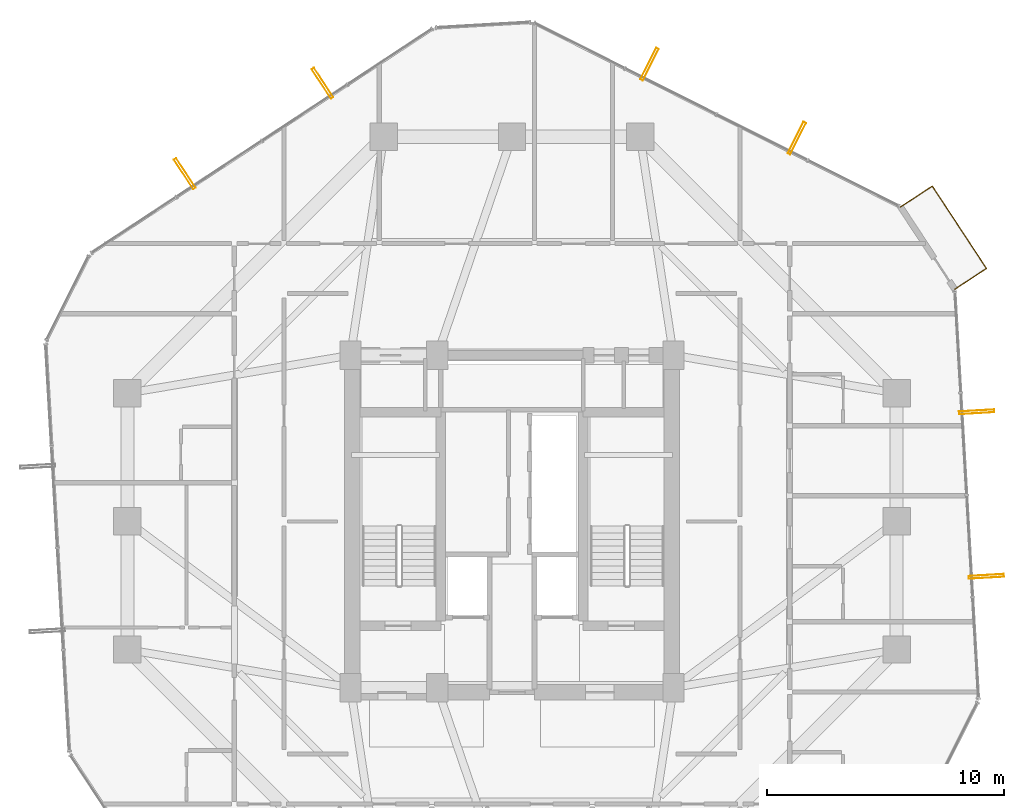
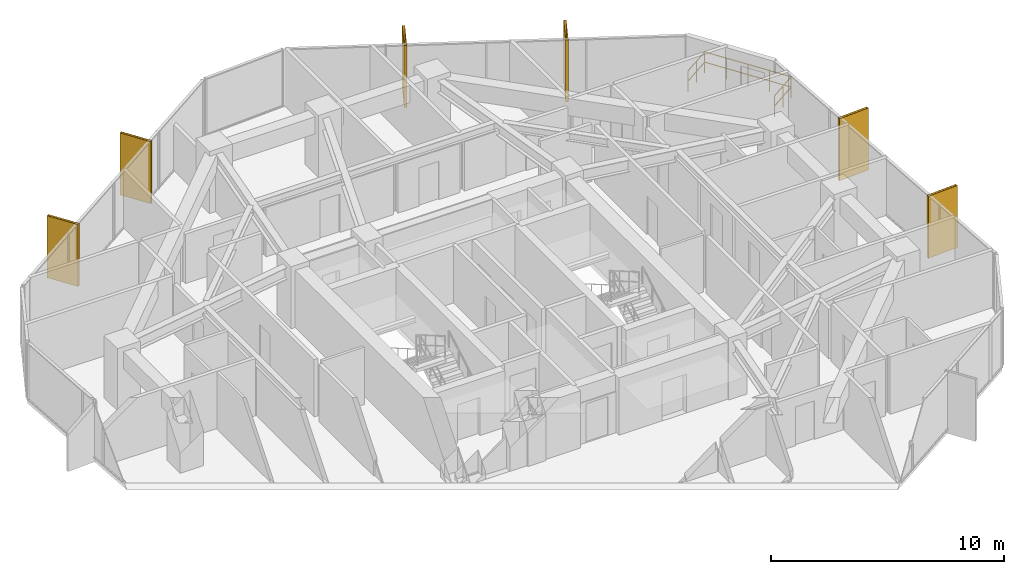
# One storey, part 33 of 33: 6 shading devices, 1 railing.
"""IFC4 building model written with IfcOpenShell, lengths in metres."""

import ifcopenshell
import ifcopenshell.guid

model = None  # the IFC model being written
_history = None  # IfcOwnerHistory: only IFC2X3 demands one
_inside = {}  # id of a spatial element -> (the spatial element, [elements in it])
_under = {}  # id of a project, library or spatial element -> (it, [spatial elements below it])
_declared = {}  # id of a project -> (the project, [libraries it declares])
_typed = {}  # id of a type object -> (the type object, [elements of that type])
_made_of = {}  # id of a material, layer set ... -> (it, [elements and type objects made of it])


def new_model(schema):
    """Start an empty IFC model of exactly this schema.

    Asked for "IFC4X3", IfcOpenShell would pick the latest addendum, in which some entities
    have other attributes; the version numbers below select the first issue.
    IFC2X3 requires an IfcOwnerHistory on every rooted entity: one is made here for all.
    """
    global model, _history
    if schema == "IFC4X3":
        model = ifcopenshell.file(schema_version=(4, 3, 0, 0))
    else:
        model = ifcopenshell.file(schema=schema)
    _inside.clear()
    _under.clear()
    _declared.clear()
    _typed.clear()
    _made_of.clear()
    _history = None
    if model.schema == "IFC2X3":
        org = make("IfcOrganization", Name="unknown")
        user = make(
            "IfcPersonAndOrganization",
            ThePerson=make("IfcPerson", FamilyName="unknown"),
            TheOrganization=org,
        )
        app = make(
            "IfcApplication",
            ApplicationDeveloper=org,
            Version="unknown",
            ApplicationFullName="unknown",
            ApplicationIdentifier="unknown",
        )
        _history = make(
            "IfcOwnerHistory",
            OwningUser=user,
            OwningApplication=app,
            ChangeAction="ADDED",
            CreationDate=0,
        )
    return model


def make(cls, **values):
    """One entity of the class cls with the attributes given. An attribute that is None is left unset."""
    return model.create_entity(
        cls, **{name: value for name, value in values.items() if value is not None}
    )


def rooted(cls, **values):
    """An entity with a GlobalId (a new one), such as an element, a storey or a relation."""
    return make(cls, GlobalId=ifcopenshell.guid.new(), OwnerHistory=_history, **values)


def si_unit(unit_type, name, prefix=None):
    """IfcSIUnit, for example si_unit("LENGTHUNIT", "METRE", prefix="MILLI")."""
    return make("IfcSIUnit", UnitType=unit_type, Prefix=prefix, Name=name)


def assignment(units):
    """IfcUnitAssignment: the units of a project."""
    return None if units is None else make("IfcUnitAssignment", Units=units)


def point(xyz):
    """IfcCartesianPoint."""
    return None if xyz is None else make("IfcCartesianPoint", Coordinates=xyz)


def direction(xyz):
    """IfcDirection."""
    return None if xyz is None else make("IfcDirection", DirectionRatios=xyz)


def frame(location, z_axis=None, x_axis=None):
    """IfcAxis2Placement3D, a coordinate frame: its origin and axes. An axis left out is left unset."""
    return make(
        "IfcAxis2Placement3D",
        Location=point(location),
        Axis=direction(z_axis),
        RefDirection=direction(x_axis),
    )


def frame_2d(location, x_axis=None):
    """IfcAxis2Placement2D, a coordinate frame in the plane: its origin and x axis."""
    return make(
        "IfcAxis2Placement2D", Location=point(location), RefDirection=direction(x_axis)
    )


def origin():
    """The frame at (0, 0, 0) with its axes left unset."""
    return frame((0.0, 0.0, 0.0))


def origin_2d():
    """The frame at (0, 0) in the plane with its x axis left unset."""
    return frame_2d((0.0, 0.0))


def place(relative_to, where):
    """IfcLocalPlacement: puts the frame where relative to a parent placement (None: the world)."""
    return make(
        "IfcLocalPlacement", PlacementRelTo=relative_to, RelativePlacement=where
    )


def context(
    kind, dimensions, precision=None, world=None, true_north=None, identifier=None
):
    """IfcGeometricRepresentationContext, for example the 3D "Model" context."""
    return make(
        "IfcGeometricRepresentationContext",
        ContextIdentifier=identifier,
        ContextType=kind,
        CoordinateSpaceDimension=dimensions,
        Precision=precision,
        WorldCoordinateSystem=world,
        TrueNorth=true_north,
    )


def subcontext(parent, identifier, kind, view, scale=None):
    """IfcGeometricRepresentationSubContext, for example "Body" below "Model"."""
    return make(
        "IfcGeometricRepresentationSubContext",
        ContextIdentifier=identifier,
        ContextType=kind,
        ParentContext=parent,
        TargetScale=scale,
        TargetView=view,
    )


def project(units=None, contexts=None):
    """IfcProject with its units and contexts."""
    return rooted(
        "IfcProject",
        Name="project",
        RepresentationContexts=contexts,
        UnitsInContext=assignment(units),
    )


def spatial(cls, under=None, at=None, **own):
    """A site, building, storey or space (cls), placed at a placement, below another one or the project."""
    s = rooted(cls, ObjectPlacement=at, **own)
    if under is not None:
        _under.setdefault(under.id(), (under, []))[1].append(s)
    return s


def profile(cls, at=None, kind="AREA", **sizes):
    """A parametric profile (cls). Its sizes go by their IFC names, for example OverallWidth=200.0."""
    return make(cls, ProfileType=kind, Position=at, **sizes)


def hollow_rectangle(**sizes):
    """IfcRectangleHollowProfileDef."""
    return profile("IfcRectangleHollowProfileDef", **sizes)


def circle(**sizes):
    """IfcCircleProfileDef."""
    return profile("IfcCircleProfileDef", **sizes)


def extrude(swept, where, along, depth):
    """IfcExtrudedAreaSolid: the profile swept, set in the frame where, extruded along a direction by depth."""
    return make(
        "IfcExtrudedAreaSolid",
        SweptArea=swept,
        Position=where,
        ExtrudedDirection=direction(along),
        Depth=depth,
    )


def shape(context_of_items, identifier, shape_type, items):
    """IfcShapeRepresentation: the items that make up one representation, for example the "Body"."""
    return make(
        "IfcShapeRepresentation",
        ContextOfItems=context_of_items,
        RepresentationIdentifier=identifier,
        RepresentationType=shape_type,
        Items=items,
    )


def material(Name=None, Category=None):
    """IfcMaterial."""
    return make("IfcMaterial", Name=Name, Category=Category)


def material_profile(
    of_material, cross_section, Name=None, Category=None, Priority=None
):
    """IfcMaterialProfile: a cross section and its material."""
    return make(
        "IfcMaterialProfile",
        Name=Name,
        Material=of_material,
        Profile=cross_section,
        Priority=Priority,
        Category=Category,
    )


def profile_set(profiles, Name=None, composite=None):
    """IfcMaterialProfileSet."""
    return make(
        "IfcMaterialProfileSet",
        Name=Name,
        MaterialProfiles=profiles,
        CompositeProfile=composite,
    )


def made_of(thing, what):
    """Note that an element or type object is made of a material, layer set ...; save() writes the relation."""
    if what is not None:
        _made_of.setdefault(what.id(), (what, []))[1].append(thing)
    return thing


def type_object(cls, material=None, **own):
    """A type object (cls), such as IfcWallType, which elements share."""
    return made_of(rooted(cls, **own), material)


def element(
    cls,
    number,
    at=None,
    inside=None,
    cuts=None,
    type_object=None,
    material=None,
    context=None,
    identifier="Body",
    shape_type=None,
    held_by="IfcProductDefinitionShape",
    body=None,
    shapes=None,
    **own,
):
    """One element of the class cls, such as IfcWall. Its Tag is "e" and its number.

    at: its placement. inside: the storey or other place that contains it. cuts: it is an
    opening in that element (IfcRelVoidsElement). A single representation is given by context,
    identifier, shape_type and body (its items); several are given by shapes. held_by: the class
    of the entity that holds the representations. save() writes the other relations.
    """
    e = rooted(cls, Tag="e%d" % number, ObjectPlacement=at, **own)
    if body is not None:
        shapes = [shape(context, identifier, shape_type, body)]
    if shapes is not None:
        e.Representation = make(held_by, Representations=shapes)
    if inside is not None:
        _inside.setdefault(inside.id(), (inside, []))[1].append(e)
    if cuts is not None:
        rooted(
            "IfcRelVoidsElement", RelatingBuildingElement=cuts, RelatedOpeningElement=e
        )
    if type_object is not None:
        _typed.setdefault(type_object.id(), (type_object, []))[1].append(e)
    return made_of(e, material)


def aggregate(whole, parts):
    """IfcRelAggregates: a whole, such as a stair, and the parts it consists of."""
    return rooted("IfcRelAggregates", RelatingObject=whole, RelatedObjects=parts)


def save(model, path):
    """Write the relations noted so far, then the file.

    IfcRelAggregates (storeys below a building ...), IfcRelContainedInSpatialStructure (elements
    in a storey), IfcRelDefinesByType, IfcRelAssociatesMaterial and IfcRelDeclares: one each for
    every whole, place, type object, material and project.
    """
    for whole, parts in _under.values():
        aggregate(whole, parts)
    for where, things in _inside.values():
        rooted(
            "IfcRelContainedInSpatialStructure",
            RelatedElements=things,
            RelatingStructure=where,
        )
    for kind, things in _typed.values():
        rooted("IfcRelDefinesByType", RelatedObjects=things, RelatingType=kind)
    for what, things in _made_of.values():
        rooted("IfcRelAssociatesMaterial", RelatedObjects=things, RelatingMaterial=what)
    for by, libraries in _declared.values():
        rooted("IfcRelDeclares", RelatingContext=by, RelatedDefinitions=libraries)
    model.write(path)


model = new_model("IFC4")

# Units and contexts
model_context = context("Model", 3, precision=1e-05, world=origin(), true_north=direction((0.0, 1.0)))
body_context = subcontext(model_context, "Body", "Model", "MODEL_VIEW")
ifc_project = project(units=[si_unit("LENGTHUNIT", "METRE"), si_unit("AREAUNIT", "SQUARE_METRE"), si_unit("VOLUMEUNIT", "CUBIC_METRE"), si_unit("PLANEANGLEUNIT", "RADIAN"), si_unit("MASSUNIT", "GRAM", prefix="KILO")], contexts=[model_context])

# Site, building, storey
site_placement = place(None, origin())
site = spatial("IfcSite", under=ifc_project, at=site_placement, CompositionType="ELEMENT")
building_placement = place(site_placement, origin())
building = spatial("IfcBuilding", under=site, at=building_placement, Name="Veraguas Prism Commons", CompositionType="ELEMENT")
storey_placement = place(building_placement, frame((0.0, 0.0, 139.25)))
storey = spatial("IfcBuildingStorey", under=building, at=storey_placement, Name="L39", CompositionType="ELEMENT", Elevation=139.25)

# Shading devices
ifc_material_1 = material(Name="Anodised aluminium EN AW-6063 T6", Category="aluminium")
ifc_material_profile = material_profile(ifc_material_1, hollow_rectangle(XDim=0.1201171875, YDim=1.489990234375, WallThickness=0.006103515625, at=origin_2d()), Name="FIN120X1490X6")
ifc_profile_set = profile_set([ifc_material_profile], Name="Anodised aluminium EN AW-6063 T6")
shading_device_type = type_object("IfcShadingDeviceType", Name="Deep Pale-Metal Vertical Solar Fin 120x1490", PredefinedType="USERDEFINED", material=ifc_profile_set)
for number, where, z_axis, x_axis, name in (
    (1, (35.9951171875, 40.139892578125, -0.22998046875), (0.0, 0.0, 1.0), (-0.893527392149, 0.449008685305, 0.0), "Vertical Pale-Metal Solar Fin L39-F1A"),
    (2, (29.792236328125, 43.257080078125, -0.22998046875), (0.0, 0.0, 1.0), (-0.893527392149, 0.449008685305, 0.0), "Vertical Pale-Metal Solar Fin L39-F1B"),
    (3, (16.019775390625, 42.4580078125, -0.22998046875), (0.0, 0.0, 1.0), (-0.835616624068, -0.549313077926, 0.0), "Vertical Pale-Metal Solar Fin L39-F2A"),
    (4, (10.21923828125, 38.64501953125, -0.22998046875), (0.0, 0.0, 1.0), (-0.835616624068, -0.549313077926, 0.0), "Vertical Pale-Metal Solar Fin L39-F2B"),
    (5, (43.975341796875, 21.68212890625, -0.22998046875), (0.0, 0.0, 1.0), (-0.057910768081, 0.998321763231, 0.0), "Vertical Pale-Metal Solar Fin L39-F6A"),
    (6, (43.5732421875, 28.612060546875, -0.22998046875), (0.0, 0.0, 1.0), (-0.057910768081, 0.998321763231, 0.0), "Vertical Pale-Metal Solar Fin L39-F6B"),
):
    element("IfcShadingDevice", number, at=place(storey_placement, frame(where, z_axis=z_axis, x_axis=x_axis)), inside=storey, type_object=shading_device_type, Name=name, ObjectType="FIN", PredefinedType="USERDEFINED", context=body_context, shape_type="SweptSolid", body=[
        extrude(hollow_rectangle(XDim=0.1201171875, YDim=1.489990234375, WallThickness=0.006103515625, at=origin_2d()), origin(), (0.0, 0.0, 1.0), 3.25),
    ])

# Railing
ifc_material_2 = material(Name="Stainless steel AISI 316", Category="steel")
railing_type = type_object("IfcRailingType", Name="Loggia and Sky Pool Glazed Balustrade 1120", PredefinedType="BALUSTRADE", material=ifc_material_2)
railing_placement = place(storey_placement, frame((42.647705078125, 33.7734375, 0.0)))
element("IfcRailing", 7, at=railing_placement, inside=storey, type_object=railing_type, Name="Recessed Corner Loggia L39-C1 Guard", PredefinedType="BALUSTRADE", context=body_context, shape_type="SweptSolid", body=[
    extrude(circle(Radius=0.02392578125, at=origin_2d()), frame((0.0, 0.0, 1.09619140625), z_axis=(0.835647455188, 0.549266174672, 0.0), x_axis=(-0.549266174672, 0.835647455188, 0.0)), (0.0, 0.0, 1.0), 1.60009765625),
    extrude(circle(Radius=0.02392578125, at=origin_2d()), frame((0.0, 0.0, 0.56005859375), z_axis=(0.835647455188, 0.549266174672, 0.0), x_axis=(-0.549266174672, 0.835647455188, 0.0)), (0.0, 0.0, 1.0), 1.60009765625),
    extrude(circle(Radius=0.02392578125, at=origin_2d()), frame((1.337158203125, 0.87890625, 1.09619140625), z_axis=(-0.549330365673, 0.835605259288, 0.0), x_axis=(-0.835605259288, -0.549330365673, 0.0)), (0.0, 0.0, 1.0), 4.1533203125),
    extrude(circle(Radius=0.02392578125, at=origin_2d()), frame((1.337158203125, 0.87890625, 0.56005859375), z_axis=(-0.549330365673, 0.835605259288, 0.0), x_axis=(-0.835605259288, -0.549330365673, 0.0)), (0.0, 0.0, 1.0), 4.1533203125),
    extrude(circle(Radius=0.02392578125, at=origin_2d()), frame((-0.9443359375, 4.349365234375, 1.09619140625), z_axis=(-0.835601415844, -0.549336212023, 0.0), x_axis=(0.549336212023, -0.835601415844, 0.0)), (0.0, 0.0, 1.0), 1.599853515625),
    extrude(circle(Radius=0.02392578125, at=origin_2d()), frame((-0.9443359375, 4.349365234375, 0.56005859375), z_axis=(-0.835601415844, -0.549336212023, 0.0), x_axis=(0.549336212023, -0.835601415844, 0.0)), (0.0, 0.0, 1.0), 1.599853515625),
    extrude(circle(Radius=0.02099609375, at=origin_2d()), origin(), (0.0, 0.0, 1.0), 1.072021484375),
    extrude(circle(Radius=0.02099609375, at=origin_2d()), frame((0.66845703125, 0.439453125, 0.0)), (0.0, 0.0, 1.0), 1.072021484375),
    extrude(circle(Radius=0.02099609375, at=origin_2d()), frame((1.337158203125, 0.87890625, 0.0)), (0.0, 0.0, 1.0), 1.072021484375),
    extrude(circle(Radius=0.02099609375, at=origin_2d()), frame((0.766845703125, 1.74658203125, 0.0)), (0.0, 0.0, 1.0), 1.072021484375),
    extrude(circle(Radius=0.02099609375, at=origin_2d()), frame((0.1962890625, 2.6142578125, 0.0)), (0.0, 0.0, 1.0), 1.072021484375),
    extrude(circle(Radius=0.02099609375, at=origin_2d()), frame((-0.3740234375, 3.481689453125, 0.0)), (0.0, 0.0, 1.0), 1.072021484375),
    extrude(circle(Radius=0.02099609375, at=origin_2d()), frame((-0.9443359375, 4.349365234375, 0.0)), (0.0, 0.0, 1.0), 1.072021484375),
    extrude(circle(Radius=0.02099609375, at=origin_2d()), frame((-1.61279296875, 3.909912109375, 0.0)), (0.0, 0.0, 1.0), 1.072021484375),
    extrude(circle(Radius=0.02099609375, at=origin_2d()), frame((-2.28125, 3.470458984375, 0.0)), (0.0, 0.0, 1.0), 1.072021484375),
])

save(model, "model.ifc")
